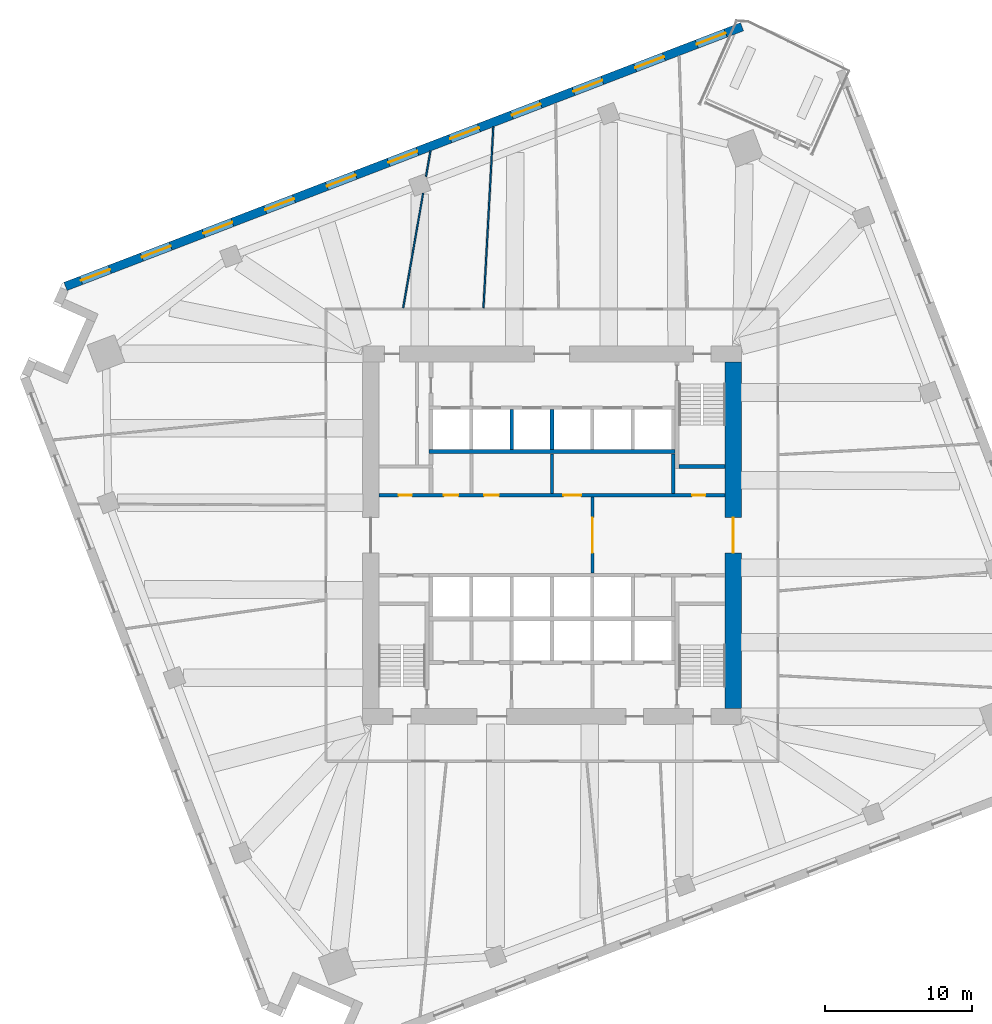
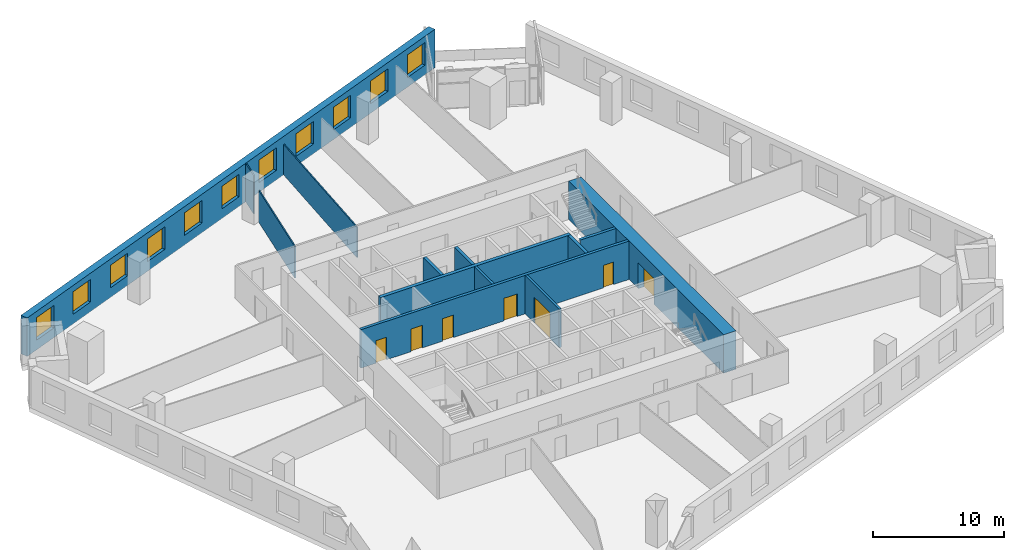
# One storey, part 10 of 14: 13 walls, 11 windows, 7 doors, 18 openings.
"""IFC4 building model written with IfcOpenShell, lengths in metres."""

from ifc_helpers import new_model, si_unit, direction, frame, frame_2d, origin, place, context, subcontext, project, spatial, rectangle, extrude, material, layer, layer_set, type_object, element, fill, save


model = new_model("IFC4")

# Units and contexts
model_context = context("Model", 3, precision=1e-05, world=origin(), true_north=direction((0.0, 1.0)))
body_context = subcontext(model_context, "Body", "Model", "MODEL_VIEW")
ifc_project = project(units=[si_unit("LENGTHUNIT", "METRE"), si_unit("AREAUNIT", "SQUARE_METRE"), si_unit("VOLUMEUNIT", "CUBIC_METRE"), si_unit("PLANEANGLEUNIT", "RADIAN"), si_unit("MASSUNIT", "GRAM", prefix="KILO")], contexts=[model_context])

# Site, building, storey
site_placement = place(None, origin())
site = spatial("IfcSite", under=ifc_project, at=site_placement, CompositionType="ELEMENT")
building_placement = place(site_placement, origin())
building = spatial("IfcBuilding", under=site, at=building_placement, Name="Dilmun Exchange Tower", CompositionType="ELEMENT")
storey_placement = place(building_placement, frame((0.0, 0.0, 102.10009765625)))
storey = spatial("IfcBuildingStorey", under=building, at=storey_placement, Name="L23", CompositionType="ELEMENT", Elevation=102.10009765625)

# Wall, opening, door
ifc_material_1 = material(Name="Concrete C40/50", Category="concrete")
ifc_layer_1 = layer(ifc_material_1, 0.199951171875)
ifc_layer_set_1 = layer_set([ifc_layer_1], Name="Concrete C40/50")
wall_type_1 = type_object("IfcWallType", Name="Core partition wall 200", PredefinedType="PARTITIONING", material=ifc_layer_set_1)
wall_1_placement = place(storey_placement, frame((2.75, -2.594970703125, 0.0), z_axis=(0.0, 0.0, 1.0), x_axis=(0.0, 1.0, 0.0)))
wall_1 = element("IfcWall", 1, at=wall_1_placement, inside=storey, type_object=wall_type_1, Name="L23 core partition wall 09", PredefinedType="PARTITIONING", context=body_context, shape_type="SweptSolid", body=[
    extrude(rectangle(XDim=5.18994140625, YDim=0.199951171875, at=frame_2d((2.594970703125, 0.0))), origin(), (0.0, 0.0, 1.0), 3.579833984375),
])
opening_1_placement = place(wall_1_placement, frame((1.39501953125, 0.0, 0.0)))
opening_1 = element("IfcOpeningElement", 2, at=opening_1_placement, cuts=wall_1, Name="Opening CD1", PredefinedType="OPENING", context=body_context, shape_type="SweptSolid", body=[
    extrude(rectangle(XDim=2.39990234375, YDim=2.39990234375, at=frame_2d((1.199951171875, 1.199951171875))), frame((0.0, 0.10986328125, 0.0), z_axis=(0.0, -1.0, 0.0), x_axis=(1.0, 0.0, 0.0)), (0.0, 0.0, 1.0), 0.219970703125),
])
ifc_material_2 = material(Name="Fire-rated steel door set", Category="steel")
door_type_1 = type_object("IfcDoorType", Name="Core lobby door 2400x2400", OperationType="DOUBLE_DOOR_DOUBLE_SWING", PredefinedType="DOOR", material=ifc_material_2)
door_1_placement = place(opening_1_placement, origin())
door_1 = element("IfcDoor", 3, at=door_1_placement, inside=storey, type_object=door_type_1, Name="L23 door Lift lobby east", OperationType="DOUBLE_DOOR_DOUBLE_SWING", OverallHeight=2.39990234375, OverallWidth=2.39990234375, PredefinedType="DOOR", context=body_context, shape_type="SweptSolid", body=[
    extrude(rectangle(XDim=2.39990234375, YDim=2.39990234375, at=frame_2d((1.199951171875, 1.199951171875))), frame((0.0, 0.02490234375, 0.0), z_axis=(0.0, -1.0, 0.0), x_axis=(1.0, 0.0, 0.0)), (0.0, 0.0, 1.0), 0.050048828125),
])
fill(opening_1, door_1)

# Wall
wall_2_placement = place(storey_placement, frame((0.0, 2.85498046875, 0.0), z_axis=(0.0, 0.0, 1.0), x_axis=(0.0, 1.0, 0.0)))
element("IfcWall", 4, at=wall_2_placement, inside=storey, type_object=wall_type_1, Name="L23 core partition wall 13", PredefinedType="PARTITIONING", context=body_context, shape_type="SweptSolid", body=[
    extrude(rectangle(XDim=2.68994140625, YDim=0.199951171875, at=frame_2d((1.344970703125, 0.0))), origin(), (0.0, 0.0, 1.0), 3.579833984375),
])

# Wall, openings, doors
ifc_layer_2 = layer(ifc_material_1, 0.25)
ifc_layer_set_2 = layer_set([ifc_layer_2], Name="Concrete C40/50")
wall_type_2 = type_object("IfcWallType", Name="Core partition wall 250", PredefinedType="PARTITIONING", material=ifc_layer_set_2)
wall_3_placement = place(storey_placement, frame((-11.794921875, 2.72509765625, 0.0), z_axis=(0.0, 0.0, 1.0), x_axis=(1.0, 0.0, 0.0)))
wall_3 = element("IfcWall", 5, at=wall_3_placement, inside=storey, type_object=wall_type_2, Name="L23 core partition wall 10", PredefinedType="PARTITIONING", context=body_context, shape_type="SweptSolid", body=[
    extrude(rectangle(XDim=23.58984375, YDim=0.25, at=frame_2d((11.794921875, 0.0))), origin(), (0.0, 0.0, 1.0), 3.579833984375),
])
opening_2_placement = place(wall_3_placement, frame((21.344970703125, 0.0, 0.0)))
opening_2 = element("IfcOpeningElement", 6, at=opening_2_placement, cuts=wall_3, Name="Opening CD6", PredefinedType="OPENING", context=body_context, shape_type="SweptSolid", body=[
    extrude(rectangle(XDim=0.89990234375, YDim=2.10009765625, at=frame_2d((0.449951171875, 1.050048828125))), frame((0.0, 0.135009765625, 0.0), z_axis=(0.0, -1.0, 0.0), x_axis=(1.0, 0.0, 0.0)), (0.0, 0.0, 1.0), 0.27001953125),
])
opening_3_placement = place(wall_3_placement, frame((1.344970703125, 0.0, 0.0)))
opening_3 = element("IfcOpeningElement", 7, at=opening_3_placement, cuts=wall_3, Name="Opening CD6", PredefinedType="OPENING", context=body_context, shape_type="SweptSolid", body=[
    extrude(rectangle(XDim=0.89990234375, YDim=2.10009765625, at=frame_2d((0.449951171875, 1.050048828125))), frame((0.0, 0.135009765625, 0.0), z_axis=(0.0, -1.0, 0.0), x_axis=(1.0, 0.0, 0.0)), (0.0, 0.0, 1.0), 0.27001953125),
])
opening_4_placement = place(wall_3_placement, frame((4.419921875, 0.0, 0.0)))
opening_4 = element("IfcOpeningElement", 8, at=opening_4_placement, cuts=wall_3, Name="Opening CD4", PredefinedType="OPENING", context=body_context, shape_type="SweptSolid", body=[
    extrude(rectangle(XDim=1.0, YDim=2.10009765625, at=frame_2d((0.5, 1.050048828125))), frame((0.0, 0.135009765625, 0.0), z_axis=(0.0, -1.0, 0.0), x_axis=(1.0, 0.0, 0.0)), (0.0, 0.0, 1.0), 0.27001953125),
])
opening_5_placement = place(wall_3_placement, frame((7.169921875, 0.0, 0.0)))
opening_5 = element("IfcOpeningElement", 9, at=opening_5_placement, cuts=wall_3, Name="Opening CD4", PredefinedType="OPENING", context=body_context, shape_type="SweptSolid", body=[
    extrude(rectangle(XDim=1.0, YDim=2.10009765625, at=frame_2d((0.5, 1.050048828125))), frame((0.0, 0.135009765625, 0.0), z_axis=(0.0, -1.0, 0.0), x_axis=(1.0, 0.0, 0.0)), (0.0, 0.0, 1.0), 0.27001953125),
])
opening_6_placement = place(wall_3_placement, frame((12.570068359375, 0.0, 0.0)))
opening_6 = element("IfcOpeningElement", 10, at=opening_6_placement, cuts=wall_3, Name="Opening CD3", PredefinedType="OPENING", context=body_context, shape_type="SweptSolid", body=[
    extrude(rectangle(XDim=1.199951171875, YDim=2.10009765625, at=frame_2d((0.60009765625, 1.050048828125))), frame((0.0, 0.135009765625, 0.0), z_axis=(0.0, -1.0, 0.0), x_axis=(1.0, 0.0, 0.0)), (0.0, 0.0, 1.0), 0.27001953125),
])
door_type_2 = type_object("IfcDoorType", Name="Core room door 1000x2100", OperationType="SINGLE_SWING_LEFT", PredefinedType="DOOR", material=ifc_material_2)
door_2_placement = place(opening_4_placement, origin())
door_2 = element("IfcDoor", 11, at=door_2_placement, inside=storey, type_object=door_type_2, Name="L23 door Security room", OperationType="SINGLE_SWING_RIGHT", OverallHeight=2.10009765625, OverallWidth=1.0, PredefinedType="DOOR", context=body_context, shape_type="SweptSolid", body=[
    extrude(rectangle(XDim=1.0, YDim=2.10009765625, at=frame_2d((0.5, 1.050048828125))), frame((0.0, 0.02490234375, 0.0), z_axis=(0.0, -1.0, 0.0), x_axis=(1.0, 0.0, 0.0)), (0.0, 0.0, 1.0), 0.050048828125),
])
fill(opening_4, door_2)
door_3_placement = place(opening_5_placement, origin())
door_3 = element("IfcDoor", 12, at=door_3_placement, inside=storey, type_object=door_type_2, Name="L23 door Tenant services room", OperationType="SINGLE_SWING_RIGHT", OverallHeight=2.10009765625, OverallWidth=1.0, PredefinedType="DOOR", context=body_context, shape_type="SweptSolid", body=[
    extrude(rectangle(XDim=1.0, YDim=2.10009765625, at=frame_2d((0.5, 1.050048828125))), frame((0.0, 0.02490234375, 0.0), z_axis=(0.0, -1.0, 0.0), x_axis=(1.0, 0.0, 0.0)), (0.0, 0.0, 1.0), 0.050048828125),
])
fill(opening_5, door_3)
door_type_3 = type_object("IfcDoorType", Name="Core room door 900x2100", OperationType="SINGLE_SWING_LEFT", PredefinedType="DOOR", material=ifc_material_2)
door_4_placement = place(opening_2_placement, origin())
door_4 = element("IfcDoor", 13, at=door_4_placement, inside=storey, type_object=door_type_3, Name="L23 door Electrical riser", OperationType="SINGLE_SWING_RIGHT", OverallHeight=2.10009765625, OverallWidth=0.89990234375, PredefinedType="DOOR", context=body_context, shape_type="SweptSolid", body=[
    extrude(rectangle(XDim=0.89990234375, YDim=2.10009765625, at=frame_2d((0.449951171875, 1.050048828125))), frame((0.0, 0.02490234375, 0.0), z_axis=(0.0, -1.0, 0.0), x_axis=(1.0, 0.0, 0.0)), (0.0, 0.0, 1.0), 0.050048828125),
])
fill(opening_2, door_4)
door_5_placement = place(opening_3_placement, origin())
door_5 = element("IfcDoor", 14, at=door_5_placement, inside=storey, type_object=door_type_3, Name="L23 door Plumbing riser", OperationType="SINGLE_SWING_RIGHT", OverallHeight=2.10009765625, OverallWidth=0.89990234375, PredefinedType="DOOR", context=body_context, shape_type="SweptSolid", body=[
    extrude(rectangle(XDim=0.89990234375, YDim=2.10009765625, at=frame_2d((0.449951171875, 1.050048828125))), frame((0.0, 0.02490234375, 0.0), z_axis=(0.0, -1.0, 0.0), x_axis=(1.0, 0.0, 0.0)), (0.0, 0.0, 1.0), 0.050048828125),
])
fill(opening_3, door_5)
door_type_4 = type_object("IfcDoorType", Name="Stair exit door 1200x2100", OperationType="SINGLE_SWING_LEFT", PredefinedType="DOOR", material=ifc_material_2)
door_6_placement = place(opening_6_placement, origin())
door_6 = element("IfcDoor", 15, at=door_6_placement, inside=storey, type_object=door_type_4, Name="L23 door Tenant amenity store", OperationType="SINGLE_SWING_LEFT", OverallHeight=2.10009765625, OverallWidth=1.199951171875, PredefinedType="DOOR", context=body_context, shape_type="SweptSolid", body=[
    extrude(rectangle(XDim=1.199951171875, YDim=2.10009765625, at=frame_2d((0.60009765625, 1.050048828125))), frame((0.0, 0.02490234375, 0.0), z_axis=(0.0, -1.0, 0.0), x_axis=(1.0, 0.0, 0.0)), (0.0, 0.0, 1.0), 0.050048828125),
])
fill(opening_6, door_6)

# Wall
wall_4_placement = place(storey_placement, frame((8.25, 2.85498046875, 0.0), z_axis=(0.0, 0.0, 1.0), x_axis=(0.0, 1.0, 0.0)))
element("IfcWall", 16, at=wall_4_placement, inside=storey, type_object=wall_type_2, Name="L23 core partition wall 14", PredefinedType="PARTITIONING", context=body_context, shape_type="SweptSolid", body=[
    extrude(rectangle(XDim=2.68994140625, YDim=0.25, at=frame_2d((1.344970703125, 0.0))), origin(), (0.0, 0.0, 1.0), 3.579833984375),
])

# Wall, opening, door
ifc_material_3 = material(Name="Concrete C80/95", Category="concrete")
ifc_layer_3 = layer(ifc_material_3, 1.10009765625)
ifc_layer_set_3 = layer_set([ifc_layer_3], Name="Concrete C80/95")
wall_type_3 = type_object("IfcWallType", Name="Core shear wall 1100 Concrete C80/95", PredefinedType="SHEAR", material=ifc_layer_set_3)
wall_5_placement = place(storey_placement, frame((12.35009765625, -11.800048828125, 0.0), z_axis=(0.0, 0.0, 1.0), x_axis=(0.0, 1.0, 0.0)))
wall_5 = element("IfcWall", 17, at=wall_5_placement, inside=storey, type_object=wall_type_3, Name="L23 core shear wall E", PredefinedType="SHEAR", context=body_context, shape_type="SweptSolid", body=[
    extrude(rectangle(XDim=23.60009765625, YDim=1.10009765625, at=frame_2d((11.800048828125, 0.0))), origin(), (0.0, 0.0, 1.0), 3.579833984375),
])
opening_7_placement = place(wall_5_placement, frame((10.60009765625, 0.0, 0.0)))
opening_7 = element("IfcOpeningElement", 18, at=opening_7_placement, cuts=wall_5, Name="Opening CD1", PredefinedType="OPENING", context=body_context, shape_type="SweptSolid", body=[
    extrude(rectangle(XDim=2.39990234375, YDim=2.39990234375, at=frame_2d((1.199951171875, 1.199951171875))), frame((0.0, 0.56005859375, 0.0), z_axis=(0.0, -1.0, 0.0), x_axis=(1.0, 0.0, 0.0)), (0.0, 0.0, 1.0), 1.1201171875),
])
door_7_placement = place(opening_7_placement, origin())
door_7 = element("IfcDoor", 19, at=door_7_placement, inside=storey, type_object=door_type_1, Name="L23 door Central lift lobby", OperationType="SINGLE_SWING_LEFT", OverallHeight=2.39990234375, OverallWidth=2.39990234375, PredefinedType="DOOR", context=body_context, shape_type="SweptSolid", body=[
    extrude(rectangle(XDim=2.39990234375, YDim=2.39990234375, at=frame_2d((1.199951171875, 1.199951171875))), frame((0.0, 0.02490234375, 0.0), z_axis=(0.0, -1.0, 0.0), x_axis=(1.0, 0.0, 0.0)), (0.0, 0.0, 1.0), 0.050048828125),
])
fill(opening_7, door_7)

# Walls
ifc_layer_4 = layer(ifc_material_1, 0.300048828125)
ifc_layer_set_4 = layer_set([ifc_layer_4], Name="Concrete C40/50")
wall_type_4 = type_object("IfcWallType", Name="Lift shaft shared wall 300", PredefinedType="SOLIDWALL", material=ifc_layer_set_4)
wall_6_placement = place(storey_placement, frame((-8.375, 5.699951171875, 0.0), z_axis=(0.0, 0.0, 1.0), x_axis=(1.0, 0.0, 0.0)))
element("IfcWall", 20, at=wall_6_placement, inside=storey, type_object=wall_type_4, Name="L23 lift shaft rear wall N", PredefinedType="SOLIDWALL", context=body_context, shape_type="SweptSolid", body=[
    extrude(rectangle(XDim=16.75, YDim=0.300048828125, at=frame_2d((8.375, 0.0))), origin(), (0.0, 0.0, 1.0), 3.579833984375),
])
ifc_layer_5 = layer(ifc_material_1, 0.25)
ifc_layer_set_5 = layer_set([ifc_layer_5], Name="Concrete C40/50")
wall_type_5 = type_object("IfcWallType", Name="Lift shaft wall 250", PredefinedType="SOLIDWALL", material=ifc_layer_set_5)
for number, where, z_axis, x_axis, name in (
    (21, (-2.75, 5.85009765625, 0.0), (0.0, 0.0, 1.0), (0.0, 1.0, 0.0), "L23 lift shaft divider N22"),
    (22, (0.0, 5.85009765625, 0.0), (0.0, 0.0, 1.0), (0.0, 1.0, 0.0), "L23 lift shaft divider N23"),
):
    element("IfcWall", number, at=place(storey_placement, frame(where, z_axis=z_axis, x_axis=x_axis)), inside=storey, type_object=wall_type_5, Name=name, PredefinedType="SOLIDWALL", context=body_context, shape_type="SweptSolid", body=[
        extrude(rectangle(XDim=2.699951171875, YDim=0.25, at=frame_2d((1.35009765625, 0.0))), origin(), (0.0, 0.0, 1.0), 3.579833984375),
    ])
ifc_material_4 = material(Name="Partition 100")
ifc_layer_6 = layer(ifc_material_4, 0.10009765625)
ifc_layer_set_6 = layer_set([ifc_layer_6], Name="Partition 100")
wall_type_6 = type_object("IfcWallType", Name="Partition 100", PredefinedType="PARTITIONING", material=ifc_layer_set_6)
wall_7_placement = place(storey_placement, frame((-10.1435546875, 15.483642578125, 0.0), z_axis=(0.0, 0.0, 1.0), x_axis=(0.17128272341, 0.985221918484, 0.0)))
element("IfcWall", 23, at=wall_7_placement, inside=storey, type_object=wall_type_6, Name="Partition", PredefinedType="PARTITIONING", context=body_context, shape_type="SweptSolid", body=[
    extrude(rectangle(XDim=7.93212890625, YDim=0.10009765625, at=frame_2d((3.966064453125, 0.0))), origin(), (0.0, 0.0, 1.0), 2.9599609375),
])
wall_8_placement = place(storey_placement, frame((-8.58740234375, 24.43408203125, 0.0), z_axis=(0.0, 0.0, 1.0), x_axis=(0.171329456072, 0.985213792779, 0.0)))
element("IfcWall", 24, at=wall_8_placement, inside=storey, type_object=wall_type_6, Name="Partition", PredefinedType="PARTITIONING", context=body_context, shape_type="SweptSolid", body=[
    extrude(rectangle(XDim=1.75830078125, YDim=0.10009765625, at=frame_2d((0.879150390625, 0.0))), origin(), (0.0, 0.0, 1.0), 3.579833984375),
])
wall_9_placement = place(storey_placement, frame((-4.6728515625, 15.477783203125, 0.0), z_axis=(0.0, 0.0, 1.0), x_axis=(0.054336931842, 0.998522657649, 0.0)))
element("IfcWall", 25, at=wall_9_placement, inside=storey, type_object=wall_type_6, Name="Partition", PredefinedType="PARTITIONING", context=body_context, shape_type="SweptSolid", body=[
    extrude(rectangle(XDim=12.3515625, YDim=0.10009765625, at=frame_2d((6.17578125, 0.0))), origin(), (0.0, 0.0, 1.0), 2.829833984375),
])

# Wall, openings, windows
ifc_material_5 = material(Name="Precast concrete C50/60", Category="concrete")
ifc_layer_7 = layer(ifc_material_5, 0.60009765625)
ifc_layer_set_7 = layer_set([ifc_layer_7], Name="Precast concrete C50/60")
wall_type_7 = type_object("IfcWallType", Name="Precast stone-clad wall 600", PredefinedType="STANDARD", material=ifc_layer_set_7)
wall_10_placement = place(storey_placement, frame((12.94580078125, 34.64013671875, 0.0), z_axis=(0.0, 0.0, 1.0), x_axis=(-0.933581036022, -0.358366361675, 0.0)))
wall_10 = element("IfcWall", 26, at=wall_10_placement, inside=storey, type_object=wall_type_7, Name="Facade wall L23-03", PredefinedType="STANDARD", context=body_context, shape_type="SweptSolid", body=[
    extrude(rectangle(XDim=49.375732421875, YDim=0.60009765625, at=frame_2d((24.68798828125, 0.0))), origin(), (0.0, 0.0, 1.0), 3.579833984375),
])
opening_8_placement = place(wall_10_placement, frame((1.199951171875, 0.0, 0.89990234375)))
opening_8 = element("IfcOpeningElement", 27, at=opening_8_placement, cuts=wall_10, Name="Opening W210-210", PredefinedType="OPENING", context=body_context, shape_type="SweptSolid", body=[
    extrude(rectangle(XDim=2.10009765625, YDim=2.10009765625, at=frame_2d((1.050048828125, 1.050048828125))), frame((0.0, 0.31005859375, 0.0), z_axis=(0.0, -1.0, 0.0), x_axis=(1.0, 0.0, 0.0)), (0.0, 0.0, 1.0), 0.6201171875),
])
opening_9_placement = place(wall_10_placement, frame((5.699951171875, 0.0, 0.89990234375)))
opening_9 = element("IfcOpeningElement", 28, at=opening_9_placement, cuts=wall_10, Name="Opening W210-210", PredefinedType="OPENING", context=body_context, shape_type="SweptSolid", body=[
    extrude(rectangle(XDim=2.10009765625, YDim=2.10009765625, at=frame_2d((1.050048828125, 1.050048828125))), frame((0.0, 0.31005859375, 0.0), z_axis=(0.0, -1.0, 0.0), x_axis=(1.0, 0.0, 0.0)), (0.0, 0.0, 1.0), 0.6201171875),
])
opening_10_placement = place(wall_10_placement, frame((10.199951171875, 0.0, 0.89990234375)))
opening_10 = element("IfcOpeningElement", 29, at=opening_10_placement, cuts=wall_10, Name="Opening W210-210", PredefinedType="OPENING", context=body_context, shape_type="SweptSolid", body=[
    extrude(rectangle(XDim=2.10009765625, YDim=2.10009765625, at=frame_2d((1.050048828125, 1.050048828125))), frame((0.0, 0.31005859375, 0.0), z_axis=(0.0, -1.0, 0.0), x_axis=(1.0, 0.0, 0.0)), (0.0, 0.0, 1.0), 0.6201171875),
])
opening_11_placement = place(wall_10_placement, frame((14.699951171875, 0.0, 0.89990234375)))
opening_11 = element("IfcOpeningElement", 30, at=opening_11_placement, cuts=wall_10, Name="Opening W210-210", PredefinedType="OPENING", context=body_context, shape_type="SweptSolid", body=[
    extrude(rectangle(XDim=2.10009765625, YDim=2.10009765625, at=frame_2d((1.050048828125, 1.050048828125))), frame((0.0, 0.31005859375, 0.0), z_axis=(0.0, -1.0, 0.0), x_axis=(1.0, 0.0, 0.0)), (0.0, 0.0, 1.0), 0.6201171875),
])
opening_12_placement = place(wall_10_placement, frame((19.199951171875, 0.0, 0.89990234375)))
opening_12 = element("IfcOpeningElement", 31, at=opening_12_placement, cuts=wall_10, Name="Opening W210-210", PredefinedType="OPENING", context=body_context, shape_type="SweptSolid", body=[
    extrude(rectangle(XDim=2.10009765625, YDim=2.10009765625, at=frame_2d((1.050048828125, 1.050048828125))), frame((0.0, 0.31005859375, 0.0), z_axis=(0.0, -1.0, 0.0), x_axis=(1.0, 0.0, 0.0)), (0.0, 0.0, 1.0), 0.6201171875),
])
opening_13_placement = place(wall_10_placement, frame((23.699951171875, 0.0, 0.89990234375)))
opening_13 = element("IfcOpeningElement", 32, at=opening_13_placement, cuts=wall_10, Name="Opening W210-210", PredefinedType="OPENING", context=body_context, shape_type="SweptSolid", body=[
    extrude(rectangle(XDim=2.10009765625, YDim=2.10009765625, at=frame_2d((1.050048828125, 1.050048828125))), frame((0.0, 0.31005859375, 0.0), z_axis=(0.0, -1.0, 0.0), x_axis=(1.0, 0.0, 0.0)), (0.0, 0.0, 1.0), 0.6201171875),
])
opening_14_placement = place(wall_10_placement, frame((28.199951171875, 0.0, 0.89990234375)))
opening_14 = element("IfcOpeningElement", 33, at=opening_14_placement, cuts=wall_10, Name="Opening W210-210", PredefinedType="OPENING", context=body_context, shape_type="SweptSolid", body=[
    extrude(rectangle(XDim=2.10009765625, YDim=2.10009765625, at=frame_2d((1.050048828125, 1.050048828125))), frame((0.0, 0.31005859375, 0.0), z_axis=(0.0, -1.0, 0.0), x_axis=(1.0, 0.0, 0.0)), (0.0, 0.0, 1.0), 0.6201171875),
])
opening_15_placement = place(wall_10_placement, frame((32.699951171875, 0.0, 0.89990234375)))
opening_15 = element("IfcOpeningElement", 34, at=opening_15_placement, cuts=wall_10, Name="Opening W210-210", PredefinedType="OPENING", context=body_context, shape_type="SweptSolid", body=[
    extrude(rectangle(XDim=2.10009765625, YDim=2.10009765625, at=frame_2d((1.050048828125, 1.050048828125))), frame((0.0, 0.31005859375, 0.0), z_axis=(0.0, -1.0, 0.0), x_axis=(1.0, 0.0, 0.0)), (0.0, 0.0, 1.0), 0.6201171875),
])
opening_16_placement = place(wall_10_placement, frame((37.199951171875, 0.0, 0.89990234375)))
opening_16 = element("IfcOpeningElement", 35, at=opening_16_placement, cuts=wall_10, Name="Opening W210-210", PredefinedType="OPENING", context=body_context, shape_type="SweptSolid", body=[
    extrude(rectangle(XDim=2.10009765625, YDim=2.10009765625, at=frame_2d((1.050048828125, 1.050048828125))), frame((0.0, 0.31005859375, 0.0), z_axis=(0.0, -1.0, 0.0), x_axis=(1.0, 0.0, 0.0)), (0.0, 0.0, 1.0), 0.6201171875),
])
opening_17_placement = place(wall_10_placement, frame((41.699951171875, 0.0, 0.89990234375)))
opening_17 = element("IfcOpeningElement", 36, at=opening_17_placement, cuts=wall_10, Name="Opening W210-210", PredefinedType="OPENING", context=body_context, shape_type="SweptSolid", body=[
    extrude(rectangle(XDim=2.10009765625, YDim=2.10009765625, at=frame_2d((1.050048828125, 1.050048828125))), frame((0.0, 0.31005859375, 0.0), z_axis=(0.0, -1.0, 0.0), x_axis=(1.0, 0.0, 0.0)), (0.0, 0.0, 1.0), 0.6201171875),
])
opening_18_placement = place(wall_10_placement, frame((46.137939453125, 0.0, 0.89990234375)))
opening_18 = element("IfcOpeningElement", 37, at=opening_18_placement, cuts=wall_10, Name="Opening W210-210", PredefinedType="OPENING", context=body_context, shape_type="SweptSolid", body=[
    extrude(rectangle(XDim=2.10009765625, YDim=2.10009765625, at=frame_2d((1.050048828125, 1.050048828125))), frame((0.0, 0.31005859375, 0.0), z_axis=(0.0, -1.0, 0.0), x_axis=(1.0, 0.0, 0.0)), (0.0, 0.0, 1.0), 0.6201171875),
])
ifc_material_6 = material(Name="Clear low-emissivity glass in aluminium frame", Category="aluminium")
window_type = type_object("IfcWindowType", Name="Punched window 2100 x 2100", PartitioningType="DOUBLE_PANEL_VERTICAL", PredefinedType="WINDOW", material=ifc_material_6)
window_1_placement = place(opening_8_placement, origin())
window_1 = element("IfcWindow", 38, at=window_1_placement, inside=storey, type_object=window_type, Name="Window 4.1", OverallHeight=2.10009765625, OverallWidth=2.10009765625, PartitioningType="SINGLE_PANEL", PredefinedType="WINDOW", context=body_context, shape_type="SweptSolid", body=[
    extrude(rectangle(XDim=2.10009765625, YDim=2.10009765625, at=frame_2d((1.050048828125, 1.050048828125))), frame((0.0, 0.030029296875, 0.0), z_axis=(0.0, -1.0, 0.0), x_axis=(1.0, 0.0, 0.0)), (0.0, 0.0, 1.0), 0.06005859375),
])
fill(opening_8, window_1)
window_2_placement = place(opening_9_placement, origin())
window_2 = element("IfcWindow", 39, at=window_2_placement, inside=storey, type_object=window_type, Name="Window 4.2", OverallHeight=2.10009765625, OverallWidth=2.10009765625, PartitioningType="SINGLE_PANEL", PredefinedType="WINDOW", context=body_context, shape_type="SweptSolid", body=[
    extrude(rectangle(XDim=2.10009765625, YDim=2.10009765625, at=frame_2d((1.050048828125, 1.050048828125))), frame((0.0, 0.030029296875, 0.0), z_axis=(0.0, -1.0, 0.0), x_axis=(1.0, 0.0, 0.0)), (0.0, 0.0, 1.0), 0.06005859375),
])
fill(opening_9, window_2)
window_3_placement = place(opening_10_placement, origin())
window_3 = element("IfcWindow", 40, at=window_3_placement, inside=storey, type_object=window_type, Name="Window 4.3", OverallHeight=2.10009765625, OverallWidth=2.10009765625, PartitioningType="SINGLE_PANEL", PredefinedType="WINDOW", context=body_context, shape_type="SweptSolid", body=[
    extrude(rectangle(XDim=2.10009765625, YDim=2.10009765625, at=frame_2d((1.050048828125, 1.050048828125))), frame((0.0, 0.030029296875, 0.0), z_axis=(0.0, -1.0, 0.0), x_axis=(1.0, 0.0, 0.0)), (0.0, 0.0, 1.0), 0.06005859375),
])
fill(opening_10, window_3)
window_4_placement = place(opening_11_placement, origin())
window_4 = element("IfcWindow", 41, at=window_4_placement, inside=storey, type_object=window_type, Name="Window 4.4", OverallHeight=2.10009765625, OverallWidth=2.10009765625, PartitioningType="SINGLE_PANEL", PredefinedType="WINDOW", context=body_context, shape_type="SweptSolid", body=[
    extrude(rectangle(XDim=2.10009765625, YDim=2.10009765625, at=frame_2d((1.050048828125, 1.050048828125))), frame((0.0, 0.030029296875, 0.0), z_axis=(0.0, -1.0, 0.0), x_axis=(1.0, 0.0, 0.0)), (0.0, 0.0, 1.0), 0.06005859375),
])
fill(opening_11, window_4)
window_5_placement = place(opening_12_placement, origin())
window_5 = element("IfcWindow", 42, at=window_5_placement, inside=storey, type_object=window_type, Name="Window 4.5", OverallHeight=2.10009765625, OverallWidth=2.10009765625, PartitioningType="SINGLE_PANEL", PredefinedType="WINDOW", context=body_context, shape_type="SweptSolid", body=[
    extrude(rectangle(XDim=2.10009765625, YDim=2.10009765625, at=frame_2d((1.050048828125, 1.050048828125))), frame((0.0, 0.030029296875, 0.0), z_axis=(0.0, -1.0, 0.0), x_axis=(1.0, 0.0, 0.0)), (0.0, 0.0, 1.0), 0.06005859375),
])
fill(opening_12, window_5)
window_6_placement = place(opening_13_placement, origin())
window_6 = element("IfcWindow", 43, at=window_6_placement, inside=storey, type_object=window_type, Name="Window 4.6", OverallHeight=2.10009765625, OverallWidth=2.10009765625, PartitioningType="SINGLE_PANEL", PredefinedType="WINDOW", context=body_context, shape_type="SweptSolid", body=[
    extrude(rectangle(XDim=2.10009765625, YDim=2.10009765625, at=frame_2d((1.050048828125, 1.050048828125))), frame((0.0, 0.030029296875, 0.0), z_axis=(0.0, -1.0, 0.0), x_axis=(1.0, 0.0, 0.0)), (0.0, 0.0, 1.0), 0.06005859375),
])
fill(opening_13, window_6)
window_7_placement = place(opening_14_placement, origin())
window_7 = element("IfcWindow", 44, at=window_7_placement, inside=storey, type_object=window_type, Name="Window 4.7", OverallHeight=2.10009765625, OverallWidth=2.10009765625, PartitioningType="SINGLE_PANEL", PredefinedType="WINDOW", context=body_context, shape_type="SweptSolid", body=[
    extrude(rectangle(XDim=2.10009765625, YDim=2.10009765625, at=frame_2d((1.050048828125, 1.050048828125))), frame((0.0, 0.030029296875, 0.0), z_axis=(0.0, -1.0, 0.0), x_axis=(1.0, 0.0, 0.0)), (0.0, 0.0, 1.0), 0.06005859375),
])
fill(opening_14, window_7)
window_8_placement = place(opening_15_placement, origin())
window_8 = element("IfcWindow", 45, at=window_8_placement, inside=storey, type_object=window_type, Name="Window 4.8", OverallHeight=2.10009765625, OverallWidth=2.10009765625, PartitioningType="SINGLE_PANEL", PredefinedType="WINDOW", context=body_context, shape_type="SweptSolid", body=[
    extrude(rectangle(XDim=2.10009765625, YDim=2.10009765625, at=frame_2d((1.050048828125, 1.050048828125))), frame((0.0, 0.030029296875, 0.0), z_axis=(0.0, -1.0, 0.0), x_axis=(1.0, 0.0, 0.0)), (0.0, 0.0, 1.0), 0.06005859375),
])
fill(opening_15, window_8)
window_9_placement = place(opening_16_placement, origin())
window_9 = element("IfcWindow", 46, at=window_9_placement, inside=storey, type_object=window_type, Name="Window 4.9", OverallHeight=2.10009765625, OverallWidth=2.10009765625, PartitioningType="SINGLE_PANEL", PredefinedType="WINDOW", context=body_context, shape_type="SweptSolid", body=[
    extrude(rectangle(XDim=2.10009765625, YDim=2.10009765625, at=frame_2d((1.050048828125, 1.050048828125))), frame((0.0, 0.030029296875, 0.0), z_axis=(0.0, -1.0, 0.0), x_axis=(1.0, 0.0, 0.0)), (0.0, 0.0, 1.0), 0.06005859375),
])
fill(opening_16, window_9)
window_10_placement = place(opening_17_placement, origin())
window_10 = element("IfcWindow", 47, at=window_10_placement, inside=storey, type_object=window_type, Name="Window 4.10", OverallHeight=2.10009765625, OverallWidth=2.10009765625, PartitioningType="SINGLE_PANEL", PredefinedType="WINDOW", context=body_context, shape_type="SweptSolid", body=[
    extrude(rectangle(XDim=2.10009765625, YDim=2.10009765625, at=frame_2d((1.050048828125, 1.050048828125))), frame((0.0, 0.030029296875, 0.0), z_axis=(0.0, -1.0, 0.0), x_axis=(1.0, 0.0, 0.0)), (0.0, 0.0, 1.0), 0.06005859375),
])
fill(opening_17, window_10)
window_11_placement = place(opening_18_placement, origin())
window_11 = element("IfcWindow", 48, at=window_11_placement, inside=storey, type_object=window_type, Name="Window 4.11", OverallHeight=2.10009765625, OverallWidth=2.10009765625, PartitioningType="SINGLE_PANEL", PredefinedType="WINDOW", context=body_context, shape_type="SweptSolid", body=[
    extrude(rectangle(XDim=2.10009765625, YDim=2.10009765625, at=frame_2d((1.050048828125, 1.050048828125))), frame((0.0, 0.030029296875, 0.0), z_axis=(0.0, -1.0, 0.0), x_axis=(1.0, 0.0, 0.0)), (0.0, 0.0, 1.0), 0.06005859375),
])
fill(opening_18, window_11)

# Wall
ifc_layer_8 = layer(ifc_material_1, 0.25)
ifc_layer_set_8 = layer_set([ifc_layer_8], Name="Concrete C40/50")
wall_type_8 = type_object("IfcWallType", Name="Stair end wall 250", PredefinedType="SOLIDWALL", material=ifc_layer_set_8)
wall_11_placement = place(storey_placement, frame((8.64990234375, 4.675048828125, 0.0), z_axis=(0.0, 0.0, 1.0), x_axis=(1.0, 0.0, 0.0)))
element("IfcWall", 49, at=wall_11_placement, inside=storey, type_object=wall_type_8, Name="L23 ST1 far wall", PredefinedType="SOLIDWALL", context=body_context, shape_type="SweptSolid", body=[
    extrude(rectangle(XDim=3.150146484375, YDim=0.25, at=frame_2d((1.5751953125, 0.0))), origin(), (0.0, 0.0, 1.0), 3.579833984375),
])

save(model, "model.ifc")
